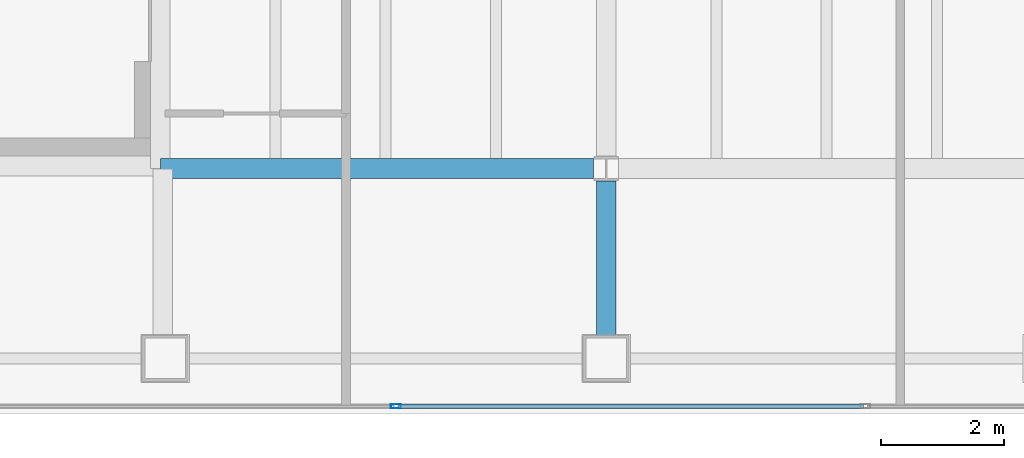
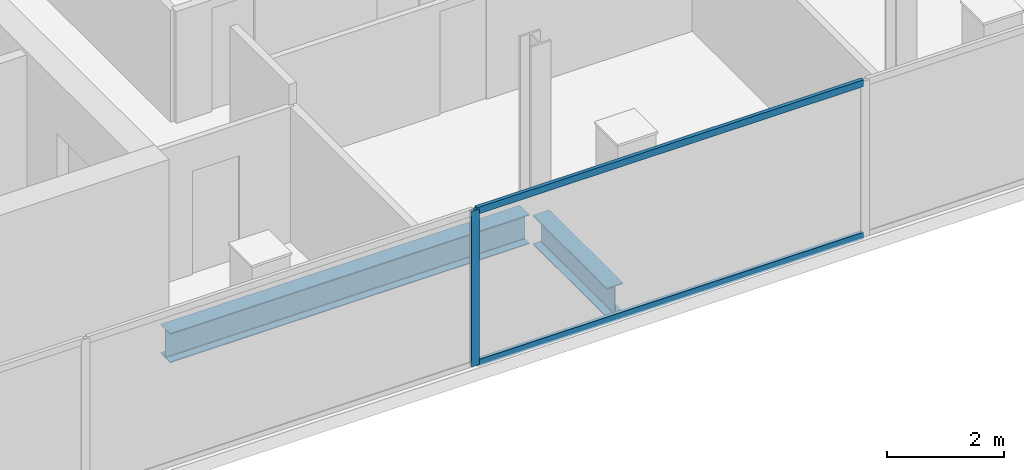
# One storey, part 4 of 23: 3 members, 2 beams, 1 element without a shape of its own.
"""IFC4 building model written with IfcOpenShell, lengths in metres."""

import ifcopenshell
import ifcopenshell.guid

model = None  # the IFC model being written
_history = None  # IfcOwnerHistory: only IFC2X3 demands one
_inside = {}  # id of a spatial element -> (the spatial element, [elements in it])
_under = {}  # id of a project, library or spatial element -> (it, [spatial elements below it])
_declared = {}  # id of a project -> (the project, [libraries it declares])
_typed = {}  # id of a type object -> (the type object, [elements of that type])
_made_of = {}  # id of a material, layer set ... -> (it, [elements and type objects made of it])


def new_model(schema):
    """Start an empty IFC model of exactly this schema.

    Asked for "IFC4X3", IfcOpenShell would pick the latest addendum, in which some entities
    have other attributes; the version numbers below select the first issue.
    IFC2X3 requires an IfcOwnerHistory on every rooted entity: one is made here for all.
    """
    global model, _history
    if schema == "IFC4X3":
        model = ifcopenshell.file(schema_version=(4, 3, 0, 0))
    else:
        model = ifcopenshell.file(schema=schema)
    _inside.clear()
    _under.clear()
    _declared.clear()
    _typed.clear()
    _made_of.clear()
    _history = None
    if model.schema == "IFC2X3":
        org = make("IfcOrganization", Name="unknown")
        user = make(
            "IfcPersonAndOrganization",
            ThePerson=make("IfcPerson", FamilyName="unknown"),
            TheOrganization=org,
        )
        app = make(
            "IfcApplication",
            ApplicationDeveloper=org,
            Version="unknown",
            ApplicationFullName="unknown",
            ApplicationIdentifier="unknown",
        )
        _history = make(
            "IfcOwnerHistory",
            OwningUser=user,
            OwningApplication=app,
            ChangeAction="ADDED",
            CreationDate=0,
        )
    return model


def make(cls, **values):
    """One entity of the class cls with the attributes given. An attribute that is None is left unset."""
    return model.create_entity(
        cls, **{name: value for name, value in values.items() if value is not None}
    )


def rooted(cls, **values):
    """An entity with a GlobalId (a new one), such as an element, a storey or a relation."""
    return make(cls, GlobalId=ifcopenshell.guid.new(), OwnerHistory=_history, **values)


def si_unit(unit_type, name, prefix=None):
    """IfcSIUnit, for example si_unit("LENGTHUNIT", "METRE", prefix="MILLI")."""
    return make("IfcSIUnit", UnitType=unit_type, Prefix=prefix, Name=name)


def assignment(units):
    """IfcUnitAssignment: the units of a project."""
    return None if units is None else make("IfcUnitAssignment", Units=units)


def point(xyz):
    """IfcCartesianPoint."""
    return None if xyz is None else make("IfcCartesianPoint", Coordinates=xyz)


def direction(xyz):
    """IfcDirection."""
    return None if xyz is None else make("IfcDirection", DirectionRatios=xyz)


def frame(location, z_axis=None, x_axis=None):
    """IfcAxis2Placement3D, a coordinate frame: its origin and axes. An axis left out is left unset."""
    return make(
        "IfcAxis2Placement3D",
        Location=point(location),
        Axis=direction(z_axis),
        RefDirection=direction(x_axis),
    )


def frame_2d(location, x_axis=None):
    """IfcAxis2Placement2D, a coordinate frame in the plane: its origin and x axis."""
    return make(
        "IfcAxis2Placement2D", Location=point(location), RefDirection=direction(x_axis)
    )


def origin():
    """The frame at (0, 0, 0) with its axes left unset."""
    return frame((0.0, 0.0, 0.0))


def origin_2d():
    """The frame at (0, 0) in the plane with its x axis left unset."""
    return frame_2d((0.0, 0.0))


def place(relative_to, where):
    """IfcLocalPlacement: puts the frame where relative to a parent placement (None: the world)."""
    return make(
        "IfcLocalPlacement", PlacementRelTo=relative_to, RelativePlacement=where
    )


def context(
    kind, dimensions, precision=None, world=None, true_north=None, identifier=None
):
    """IfcGeometricRepresentationContext, for example the 3D "Model" context."""
    return make(
        "IfcGeometricRepresentationContext",
        ContextIdentifier=identifier,
        ContextType=kind,
        CoordinateSpaceDimension=dimensions,
        Precision=precision,
        WorldCoordinateSystem=world,
        TrueNorth=true_north,
    )


def subcontext(parent, identifier, kind, view, scale=None):
    """IfcGeometricRepresentationSubContext, for example "Body" below "Model"."""
    return make(
        "IfcGeometricRepresentationSubContext",
        ContextIdentifier=identifier,
        ContextType=kind,
        ParentContext=parent,
        TargetScale=scale,
        TargetView=view,
    )


def project(units=None, contexts=None):
    """IfcProject with its units and contexts."""
    return rooted(
        "IfcProject",
        Name="project",
        RepresentationContexts=contexts,
        UnitsInContext=assignment(units),
    )


def spatial(cls, under=None, at=None, **own):
    """A site, building, storey or space (cls), placed at a placement, below another one or the project."""
    s = rooted(cls, ObjectPlacement=at, **own)
    if under is not None:
        _under.setdefault(under.id(), (under, []))[1].append(s)
    return s


def profile(cls, at=None, kind="AREA", **sizes):
    """A parametric profile (cls). Its sizes go by their IFC names, for example OverallWidth=200.0."""
    return make(cls, ProfileType=kind, Position=at, **sizes)


def hollow_rectangle(**sizes):
    """IfcRectangleHollowProfileDef."""
    return profile("IfcRectangleHollowProfileDef", **sizes)


def i_section(**sizes):
    """IfcIShapeProfileDef."""
    return profile("IfcIShapeProfileDef", **sizes)


def extrude(swept, where, along, depth):
    """IfcExtrudedAreaSolid: the profile swept, set in the frame where, extruded along a direction by depth."""
    return make(
        "IfcExtrudedAreaSolid",
        SweptArea=swept,
        Position=where,
        ExtrudedDirection=direction(along),
        Depth=depth,
    )


def shape(context_of_items, identifier, shape_type, items):
    """IfcShapeRepresentation: the items that make up one representation, for example the "Body"."""
    return make(
        "IfcShapeRepresentation",
        ContextOfItems=context_of_items,
        RepresentationIdentifier=identifier,
        RepresentationType=shape_type,
        Items=items,
    )


def material(Name=None, Category=None):
    """IfcMaterial."""
    return make("IfcMaterial", Name=Name, Category=Category)


def material_profile(
    of_material, cross_section, Name=None, Category=None, Priority=None
):
    """IfcMaterialProfile: a cross section and its material."""
    return make(
        "IfcMaterialProfile",
        Name=Name,
        Material=of_material,
        Profile=cross_section,
        Priority=Priority,
        Category=Category,
    )


def profile_set(profiles, Name=None, composite=None):
    """IfcMaterialProfileSet."""
    return make(
        "IfcMaterialProfileSet",
        Name=Name,
        MaterialProfiles=profiles,
        CompositeProfile=composite,
    )


def made_of(thing, what):
    """Note that an element or type object is made of a material, layer set ...; save() writes the relation."""
    if what is not None:
        _made_of.setdefault(what.id(), (what, []))[1].append(thing)
    return thing


def type_object(cls, material=None, **own):
    """A type object (cls), such as IfcWallType, which elements share."""
    return made_of(rooted(cls, **own), material)


def element(
    cls,
    number,
    at=None,
    inside=None,
    cuts=None,
    type_object=None,
    material=None,
    context=None,
    identifier="Body",
    shape_type=None,
    held_by="IfcProductDefinitionShape",
    body=None,
    shapes=None,
    **own,
):
    """One element of the class cls, such as IfcWall. Its Tag is "e" and its number.

    at: its placement. inside: the storey or other place that contains it. cuts: it is an
    opening in that element (IfcRelVoidsElement). A single representation is given by context,
    identifier, shape_type and body (its items); several are given by shapes. held_by: the class
    of the entity that holds the representations. save() writes the other relations.
    """
    e = rooted(cls, Tag="e%d" % number, ObjectPlacement=at, **own)
    if body is not None:
        shapes = [shape(context, identifier, shape_type, body)]
    if shapes is not None:
        e.Representation = make(held_by, Representations=shapes)
    if inside is not None:
        _inside.setdefault(inside.id(), (inside, []))[1].append(e)
    if cuts is not None:
        rooted(
            "IfcRelVoidsElement", RelatingBuildingElement=cuts, RelatedOpeningElement=e
        )
    if type_object is not None:
        _typed.setdefault(type_object.id(), (type_object, []))[1].append(e)
    return made_of(e, material)


def aggregate(whole, parts):
    """IfcRelAggregates: a whole, such as a stair, and the parts it consists of."""
    return rooted("IfcRelAggregates", RelatingObject=whole, RelatedObjects=parts)


def save(model, path):
    """Write the relations noted so far, then the file.

    IfcRelAggregates (storeys below a building ...), IfcRelContainedInSpatialStructure (elements
    in a storey), IfcRelDefinesByType, IfcRelAssociatesMaterial and IfcRelDeclares: one each for
    every whole, place, type object, material and project.
    """
    for whole, parts in _under.values():
        aggregate(whole, parts)
    for where, things in _inside.values():
        rooted(
            "IfcRelContainedInSpatialStructure",
            RelatedElements=things,
            RelatingStructure=where,
        )
    for kind, things in _typed.values():
        rooted("IfcRelDefinesByType", RelatedObjects=things, RelatingType=kind)
    for what, things in _made_of.values():
        rooted("IfcRelAssociatesMaterial", RelatedObjects=things, RelatingMaterial=what)
    for by, libraries in _declared.values():
        rooted("IfcRelDeclares", RelatingContext=by, RelatedDefinitions=libraries)
    model.write(path)


model = new_model("IFC4")

# Units and contexts
model_context = context("Model", 3, precision=1e-05, world=origin(), true_north=direction((0.0, 1.0)))
body_context = subcontext(model_context, "Body", "Model", "MODEL_VIEW")
ifc_project = project(units=[si_unit("LENGTHUNIT", "METRE"), si_unit("AREAUNIT", "SQUARE_METRE"), si_unit("VOLUMEUNIT", "CUBIC_METRE"), si_unit("PLANEANGLEUNIT", "RADIAN"), si_unit("MASSUNIT", "GRAM", prefix="KILO")], contexts=[model_context])

# Site, building, storey
site_placement = place(None, origin())
site = spatial("IfcSite", under=ifc_project, at=site_placement, CompositionType="ELEMENT")
building_placement = place(site_placement, origin())
building = spatial("IfcBuilding", under=site, at=building_placement, Name="Cobrela Telecom Tower", CompositionType="ELEMENT")
storey_placement = place(building_placement, frame((0.0, 0.0, 229.25)))
storey = spatial("IfcBuildingStorey", under=building, at=storey_placement, Name="L59", CompositionType="ELEMENT", Elevation=229.25)

# Beams
ifc_material_1 = material(Name="Steel ASTM A992 Grade 50", Category="steel")
ifc_material_profile_1 = material_profile(ifc_material_1, i_section(OverallWidth=0.324951171875, OverallDepth=0.612060546875, WebThickness=0.0126953125, FlangeThickness=0.01904296875, FilletRadius=0.014892578125, at=origin_2d()), Name="W24X104")
ifc_profile_set_1 = profile_set([ifc_material_profile_1], Name="Steel ASTM A992 Grade 50")
beam_type = type_object("IfcBeamType", Name="BM-GIRD-07", PredefinedType="USERDEFINED", material=ifc_profile_set_1)
beam_1_placement = place(storey_placement, frame((14.324951171875, 7.199951171875, -0.56591796875), z_axis=(1.0, 0.0, 0.0), x_axis=(0.0, 1.0, 0.0)))
element("IfcBeam", 1, at=beam_1_placement, inside=storey, type_object=beam_type, Name="L59 Primary Girder X07", ObjectType="GIRDER", PredefinedType="USERDEFINED", context=body_context, shape_type="SweptSolid", body=[
    extrude(i_section(OverallWidth=0.324951171875, OverallDepth=0.612060546875, WebThickness=0.0126953125, FlangeThickness=0.01904296875, FilletRadius=0.014892578125, at=origin_2d()), origin(), (0.0, 0.0, 1.0), 7.070556640625),
])
beam_2_placement = place(storey_placement, frame((21.60009765625, 4.47998046875, -0.56591796875), z_axis=(0.0, 1.0, 0.0), x_axis=(-1.0, 0.0, 0.0)))
element("IfcBeam", 2, at=beam_2_placement, inside=storey, type_object=beam_type, Name="L59 Primary Girder Y32", ObjectType="GIRDER", PredefinedType="USERDEFINED", context=body_context, shape_type="SweptSolid", body=[
    extrude(i_section(OverallWidth=0.324951171875, OverallDepth=0.612060546875, WebThickness=0.0126953125, FlangeThickness=0.01904296875, FilletRadius=0.014892578125, at=origin_2d()), origin(), (0.0, 0.0, 1.0), 2.515625),
])

# Curtain wall, members
ifc_material_2 = material(Name="Anodized Bronze Aluminium 6063-T6", Category="aluminium")
curtain_wall_type = type_object("IfcCurtainWallType", Name="CW-SYS-OFF-LO", PredefinedType="USERDEFINED", material=ifc_material_2)
curtain_wall_placement = place(storey_placement, origin())
curtain_wall = element("IfcCurtainWall", 3, at=curtain_wall_placement, inside=storey, type_object=curtain_wall_type, Name="L59 Unitised Bronze Curtain Wall 17", ObjectType="UNITISED CURTAIN WALL", PredefinedType="USERDEFINED")
ifc_material_profile_2 = material_profile(ifc_material_2, hollow_rectangle(XDim=0.070068359375, YDim=0.159912109375, WallThickness=0.00390625, at=origin_2d()), Name="ALU 70x160x4")
ifc_profile_set_2 = profile_set([ifc_material_profile_2], Name="Anodized Bronze Aluminium 6063-T6")
member_type_1 = type_object("IfcMemberType", Name="CW-SYS-OFF-LO-MUL", PredefinedType="MULLION", material=ifc_profile_set_2)
member_1_placement = place(storey_placement, frame((18.166015625, 3.320068359375, 0.0), z_axis=(0.0, 0.0, 1.0), x_axis=(0.0, -1.0, 0.0)))
member_1 = element("IfcMember", 4, at=member_1_placement, type_object=member_type_1, Name="CW-OFF-LO mullion 4", PredefinedType="MULLION", context=body_context, shape_type="SweptSolid", body=[
    extrude(hollow_rectangle(XDim=0.070068359375, YDim=0.159912109375, WallThickness=0.00390625, at=origin_2d()), origin(), (0.0, 0.0, 1.0), 3.239990234375),
])
ifc_material_profile_3 = material_profile(ifc_material_2, hollow_rectangle(XDim=0.070068359375, YDim=0.139892578125, WallThickness=0.00390625, at=origin_2d()), Name="ALU 70x140x4")
ifc_profile_set_3 = profile_set([ifc_material_profile_3], Name="Anodized Bronze Aluminium 6063-T6")
member_type_2 = type_object("IfcMemberType", Name="CW-SYS-OFF-LO-TRN", PredefinedType="USERDEFINED", material=ifc_profile_set_3)
member_2_placement = place(storey_placement, frame((25.799072265625, 3.320068359375, 0.034912109375), z_axis=(-1.0, 0.0, 0.0), x_axis=(0.0, -1.0, 0.0)))
member_2 = element("IfcMember", 5, at=member_2_placement, type_object=member_type_2, Name="CW-OFF-LO transom 3.1", ObjectType="TRANSOM", PredefinedType="USERDEFINED", context=body_context, shape_type="SweptSolid", body=[
    extrude(hollow_rectangle(XDim=0.070068359375, YDim=0.139892578125, WallThickness=0.00390625, at=origin_2d()), origin(), (0.0, 0.0, 1.0), 7.59814453125),
])
member_3_placement = place(storey_placement, frame((25.799072265625, 3.320068359375, 3.205078125), z_axis=(-1.0, 0.0, 0.0), x_axis=(0.0, -1.0, 0.0)))
member_3 = element("IfcMember", 6, at=member_3_placement, type_object=member_type_2, Name="CW-OFF-LO transom 3.2", ObjectType="TRANSOM", PredefinedType="USERDEFINED", context=body_context, shape_type="SweptSolid", body=[
    extrude(hollow_rectangle(XDim=0.070068359375, YDim=0.139892578125, WallThickness=0.00390625, at=origin_2d()), origin(), (0.0, 0.0, 1.0), 7.59814453125),
])
aggregate(curtain_wall, [member_1, member_2, member_3])

save(model, "model.ifc")
